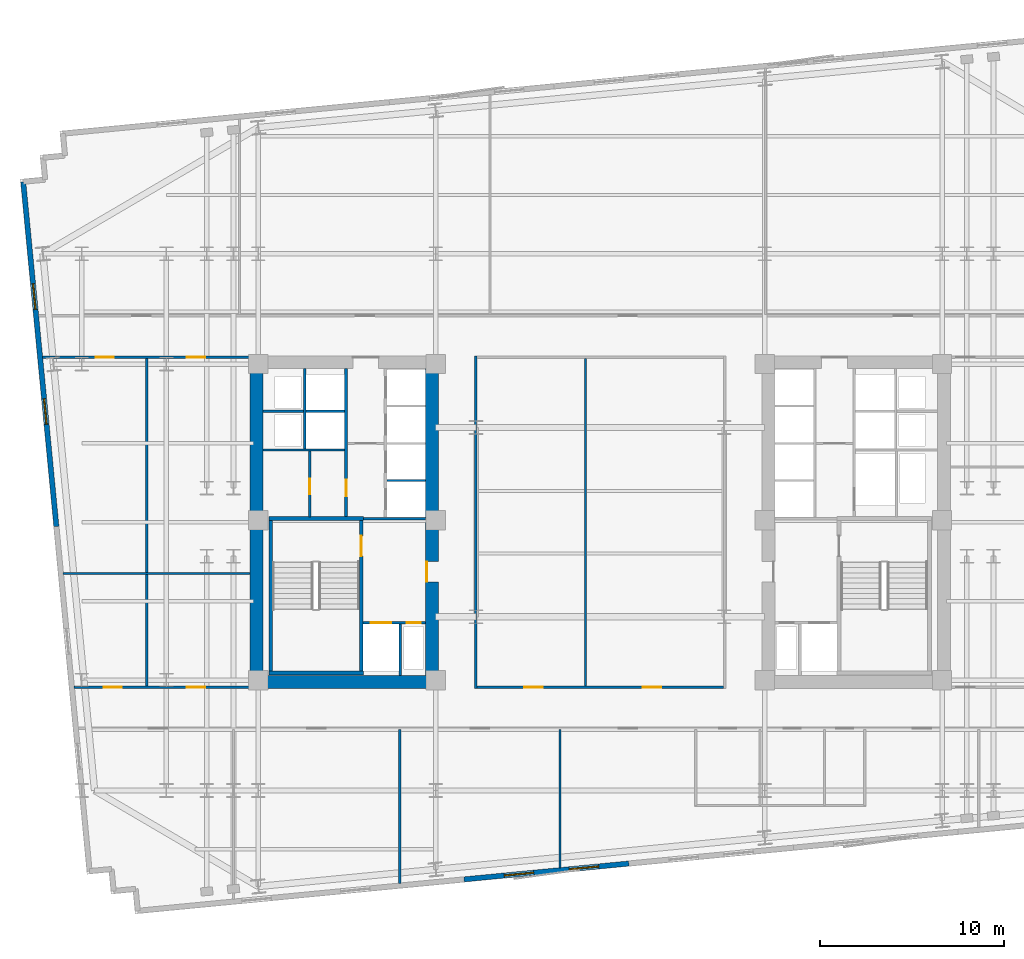
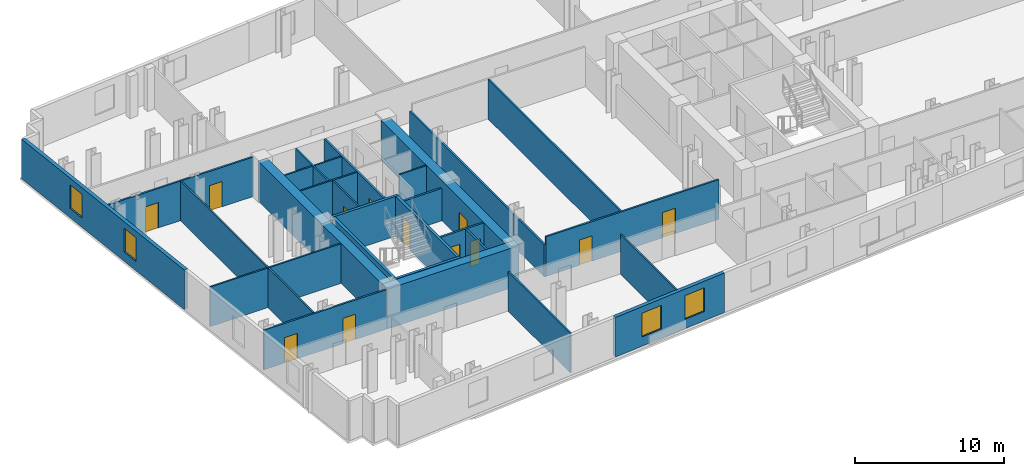
# One storey, part 4 of 10: 28 walls, 12 doors, 4 windows, 16 openings.
"""IFC4 building model written with IfcOpenShell, lengths in metres."""

import ifcopenshell
import ifcopenshell.guid

model = None  # the IFC model being written
_history = None  # IfcOwnerHistory: only IFC2X3 demands one
_inside = {}  # id of a spatial element -> (the spatial element, [elements in it])
_under = {}  # id of a project, library or spatial element -> (it, [spatial elements below it])
_declared = {}  # id of a project -> (the project, [libraries it declares])
_typed = {}  # id of a type object -> (the type object, [elements of that type])
_made_of = {}  # id of a material, layer set ... -> (it, [elements and type objects made of it])


def new_model(schema):
    """Start an empty IFC model of exactly this schema.

    Asked for "IFC4X3", IfcOpenShell would pick the latest addendum, in which some entities
    have other attributes; the version numbers below select the first issue.
    IFC2X3 requires an IfcOwnerHistory on every rooted entity: one is made here for all.
    """
    global model, _history
    if schema == "IFC4X3":
        model = ifcopenshell.file(schema_version=(4, 3, 0, 0))
    else:
        model = ifcopenshell.file(schema=schema)
    _inside.clear()
    _under.clear()
    _declared.clear()
    _typed.clear()
    _made_of.clear()
    _history = None
    if model.schema == "IFC2X3":
        org = make("IfcOrganization", Name="unknown")
        user = make(
            "IfcPersonAndOrganization",
            ThePerson=make("IfcPerson", FamilyName="unknown"),
            TheOrganization=org,
        )
        app = make(
            "IfcApplication",
            ApplicationDeveloper=org,
            Version="unknown",
            ApplicationFullName="unknown",
            ApplicationIdentifier="unknown",
        )
        _history = make(
            "IfcOwnerHistory",
            OwningUser=user,
            OwningApplication=app,
            ChangeAction="ADDED",
            CreationDate=0,
        )
    return model


def make(cls, **values):
    """One entity of the class cls with the attributes given. An attribute that is None is left unset."""
    return model.create_entity(
        cls, **{name: value for name, value in values.items() if value is not None}
    )


def rooted(cls, **values):
    """An entity with a GlobalId (a new one), such as an element, a storey or a relation."""
    return make(cls, GlobalId=ifcopenshell.guid.new(), OwnerHistory=_history, **values)


def si_unit(unit_type, name, prefix=None):
    """IfcSIUnit, for example si_unit("LENGTHUNIT", "METRE", prefix="MILLI")."""
    return make("IfcSIUnit", UnitType=unit_type, Prefix=prefix, Name=name)


def assignment(units):
    """IfcUnitAssignment: the units of a project."""
    return None if units is None else make("IfcUnitAssignment", Units=units)


def point(xyz):
    """IfcCartesianPoint."""
    return None if xyz is None else make("IfcCartesianPoint", Coordinates=xyz)


def direction(xyz):
    """IfcDirection."""
    return None if xyz is None else make("IfcDirection", DirectionRatios=xyz)


def frame(location, z_axis=None, x_axis=None):
    """IfcAxis2Placement3D, a coordinate frame: its origin and axes. An axis left out is left unset."""
    return make(
        "IfcAxis2Placement3D",
        Location=point(location),
        Axis=direction(z_axis),
        RefDirection=direction(x_axis),
    )


def frame_2d(location, x_axis=None):
    """IfcAxis2Placement2D, a coordinate frame in the plane: its origin and x axis."""
    return make(
        "IfcAxis2Placement2D", Location=point(location), RefDirection=direction(x_axis)
    )


def origin():
    """The frame at (0, 0, 0) with its axes left unset."""
    return frame((0.0, 0.0, 0.0))


def place(relative_to, where):
    """IfcLocalPlacement: puts the frame where relative to a parent placement (None: the world)."""
    return make(
        "IfcLocalPlacement", PlacementRelTo=relative_to, RelativePlacement=where
    )


def context(
    kind, dimensions, precision=None, world=None, true_north=None, identifier=None
):
    """IfcGeometricRepresentationContext, for example the 3D "Model" context."""
    return make(
        "IfcGeometricRepresentationContext",
        ContextIdentifier=identifier,
        ContextType=kind,
        CoordinateSpaceDimension=dimensions,
        Precision=precision,
        WorldCoordinateSystem=world,
        TrueNorth=true_north,
    )


def subcontext(parent, identifier, kind, view, scale=None):
    """IfcGeometricRepresentationSubContext, for example "Body" below "Model"."""
    return make(
        "IfcGeometricRepresentationSubContext",
        ContextIdentifier=identifier,
        ContextType=kind,
        ParentContext=parent,
        TargetScale=scale,
        TargetView=view,
    )


def project(units=None, contexts=None):
    """IfcProject with its units and contexts."""
    return rooted(
        "IfcProject",
        Name="project",
        RepresentationContexts=contexts,
        UnitsInContext=assignment(units),
    )


def spatial(cls, under=None, at=None, **own):
    """A site, building, storey or space (cls), placed at a placement, below another one or the project."""
    s = rooted(cls, ObjectPlacement=at, **own)
    if under is not None:
        _under.setdefault(under.id(), (under, []))[1].append(s)
    return s


def profile(cls, at=None, kind="AREA", **sizes):
    """A parametric profile (cls). Its sizes go by their IFC names, for example OverallWidth=200.0."""
    return make(cls, ProfileType=kind, Position=at, **sizes)


def rectangle(**sizes):
    """IfcRectangleProfileDef."""
    return profile("IfcRectangleProfileDef", **sizes)


def extrude(swept, where, along, depth):
    """IfcExtrudedAreaSolid: the profile swept, set in the frame where, extruded along a direction by depth."""
    return make(
        "IfcExtrudedAreaSolid",
        SweptArea=swept,
        Position=where,
        ExtrudedDirection=direction(along),
        Depth=depth,
    )


def shape(context_of_items, identifier, shape_type, items):
    """IfcShapeRepresentation: the items that make up one representation, for example the "Body"."""
    return make(
        "IfcShapeRepresentation",
        ContextOfItems=context_of_items,
        RepresentationIdentifier=identifier,
        RepresentationType=shape_type,
        Items=items,
    )


def material(Name=None, Category=None):
    """IfcMaterial."""
    return make("IfcMaterial", Name=Name, Category=Category)


def layer(
    of_material, thickness, ventilated=None, Name=None, Category=None, Priority=None
):
    """IfcMaterialLayer: one layer of a wall or slab, of a material (None: an air gap)."""
    return make(
        "IfcMaterialLayer",
        Material=of_material,
        LayerThickness=thickness,
        IsVentilated=ventilated,
        Name=Name,
        Category=Category,
        Priority=Priority,
    )


def layer_set(layers, Name=None):
    """IfcMaterialLayerSet."""
    return make("IfcMaterialLayerSet", MaterialLayers=layers, LayerSetName=Name)


def made_of(thing, what):
    """Note that an element or type object is made of a material, layer set ...; save() writes the relation."""
    if what is not None:
        _made_of.setdefault(what.id(), (what, []))[1].append(thing)
    return thing


def type_object(cls, material=None, **own):
    """A type object (cls), such as IfcWallType, which elements share."""
    return made_of(rooted(cls, **own), material)


def element(
    cls,
    number,
    at=None,
    inside=None,
    cuts=None,
    type_object=None,
    material=None,
    context=None,
    identifier="Body",
    shape_type=None,
    held_by="IfcProductDefinitionShape",
    body=None,
    shapes=None,
    **own,
):
    """One element of the class cls, such as IfcWall. Its Tag is "e" and its number.

    at: its placement. inside: the storey or other place that contains it. cuts: it is an
    opening in that element (IfcRelVoidsElement). A single representation is given by context,
    identifier, shape_type and body (its items); several are given by shapes. held_by: the class
    of the entity that holds the representations. save() writes the other relations.
    """
    e = rooted(cls, Tag="e%d" % number, ObjectPlacement=at, **own)
    if body is not None:
        shapes = [shape(context, identifier, shape_type, body)]
    if shapes is not None:
        e.Representation = make(held_by, Representations=shapes)
    if inside is not None:
        _inside.setdefault(inside.id(), (inside, []))[1].append(e)
    if cuts is not None:
        rooted(
            "IfcRelVoidsElement", RelatingBuildingElement=cuts, RelatedOpeningElement=e
        )
    if type_object is not None:
        _typed.setdefault(type_object.id(), (type_object, []))[1].append(e)
    return made_of(e, material)


def fill(opening, filler):
    """IfcRelFillsElement: the door or window that sits in an opening."""
    return rooted(
        "IfcRelFillsElement",
        RelatingOpeningElement=opening,
        RelatedBuildingElement=filler,
    )


def aggregate(whole, parts):
    """IfcRelAggregates: a whole, such as a stair, and the parts it consists of."""
    return rooted("IfcRelAggregates", RelatingObject=whole, RelatedObjects=parts)


def save(model, path):
    """Write the relations noted so far, then the file.

    IfcRelAggregates (storeys below a building ...), IfcRelContainedInSpatialStructure (elements
    in a storey), IfcRelDefinesByType, IfcRelAssociatesMaterial and IfcRelDeclares: one each for
    every whole, place, type object, material and project.
    """
    for whole, parts in _under.values():
        aggregate(whole, parts)
    for where, things in _inside.values():
        rooted(
            "IfcRelContainedInSpatialStructure",
            RelatedElements=things,
            RelatingStructure=where,
        )
    for kind, things in _typed.values():
        rooted("IfcRelDefinesByType", RelatedObjects=things, RelatingType=kind)
    for what, things in _made_of.values():
        rooted("IfcRelAssociatesMaterial", RelatedObjects=things, RelatingMaterial=what)
    for by, libraries in _declared.values():
        rooted("IfcRelDeclares", RelatingContext=by, RelatedDefinitions=libraries)
    model.write(path)


model = new_model("IFC4")

# Units and contexts
model_context = context("Model", 3, precision=1e-05, world=origin(), true_north=direction((0.0, 1.0)))
body_context = subcontext(model_context, "Body", "Model", "MODEL_VIEW")
ifc_project = project(units=[si_unit("LENGTHUNIT", "METRE"), si_unit("AREAUNIT", "SQUARE_METRE"), si_unit("VOLUMEUNIT", "CUBIC_METRE"), si_unit("PLANEANGLEUNIT", "RADIAN"), si_unit("MASSUNIT", "GRAM", prefix="KILO")], contexts=[model_context])

# Site, building, storey
site_placement = place(None, origin())
site = spatial("IfcSite", under=ifc_project, at=site_placement, CompositionType="ELEMENT")
building_placement = place(site_placement, origin())
building = spatial("IfcBuilding", under=site, at=building_placement, Name="Velakula Bourse", CompositionType="ELEMENT")
storey_placement = place(building_placement, frame((0.0, 0.0, 91.449951171875)))
storey = spatial("IfcBuildingStorey", under=building, at=storey_placement, Name="L24", CompositionType="ELEMENT", Elevation=91.449951171875)

# Wall, opening, door
ifc_material_1 = material(Name="Concrete M50 (fck 50 MPa)", Category="concrete")
ifc_layer_1 = layer(ifc_material_1, 0.2099609375, Name="Concrete M50 (fck 50 MPa)", Category="concrete")
ifc_layer_set_1 = layer_set([ifc_layer_1], Name="Concrete M50 (fck 50 MPa)")
wall_type_1 = type_object("IfcWallType", Name="WL-CORE-210", PredefinedType="SHEAR", material=ifc_layer_set_1)
wall_1_placement = place(storey_placement, frame((-12.9951171875, -8.10009765625, 0.0), z_axis=(0.0, 0.0, 1.0), x_axis=(0.0, 1.0, 0.0)))
wall_1 = element("IfcWall", 1, at=wall_1_placement, inside=storey, type_object=wall_type_1, Name="L24 Core W Stairwell Shear Wall IN", PredefinedType="SHEAR", context=body_context, shape_type="SweptSolid", body=[
    extrude(rectangle(XDim=8.2001953125, YDim=0.2099609375, at=frame_2d((4.10009765625, 0.0))), origin(), (0.0, 0.0, 1.0), 3.27001953125),
])
opening_1_placement = place(wall_1_placement, frame((6.25, 0.0, 0.0)))
opening_1 = element("IfcOpeningElement", 2, at=opening_1_placement, cuts=wall_1, Name="Opening D-STW1", PredefinedType="OPENING", context=body_context, shape_type="SweptSolid", body=[
    extrude(rectangle(XDim=1.10009765625, YDim=2.14990234375, at=frame_2d((0.550048828125, 1.074951171875))), frame((0.0, 0.114990234375, 0.0), z_axis=(0.0, -1.0, 0.0), x_axis=(1.0, 0.0, 0.0)), (0.0, 0.0, 1.0), 0.22998046875),
])
ifc_material_2 = material(Name="Galvanised painted hollow steel fire door", Category="steel")
door_type_1 = type_object("IfcDoorType", Name="DR-FD120-1100x2150", OperationType="NOTDEFINED", PredefinedType="DOOR", material=ifc_material_2)
door_1_placement = place(opening_1_placement, origin())
door_1 = element("IfcDoor", 3, at=door_1_placement, inside=storey, type_object=door_type_1, Name="L24 Stair ST-W1 Fire Door", OperationType="SINGLE_SWING_LEFT", OverallHeight=2.14990234375, OverallWidth=1.10009765625, PredefinedType="DOOR", context=body_context, shape_type="SweptSolid", body=[
    extrude(rectangle(XDim=1.10009765625, YDim=2.14990234375, at=frame_2d((0.550048828125, 1.074951171875))), frame((0.0, 0.02490234375, 0.0), z_axis=(0.0, -1.0, 0.0), x_axis=(1.0, 0.0, 0.0)), (0.0, 0.0, 1.0), 0.050048828125),
])
fill(opening_1, door_1)

# Walls
wall_2_placement = place(storey_placement, frame((-17.925048828125, -8.10009765625, 0.0), z_axis=(0.0, 0.0, 1.0), x_axis=(0.0, 1.0, 0.0)))
element("IfcWall", 4, at=wall_2_placement, inside=storey, type_object=wall_type_1, Name="L24 Core W Stairwell Shear Wall OUT", PredefinedType="SHEAR", context=body_context, shape_type="SweptSolid", body=[
    extrude(rectangle(XDim=8.2001953125, YDim=0.2099609375, at=frame_2d((4.10009765625, 0.0))), origin(), (0.0, 0.0, 1.0), 3.27001953125),
])
for number, where, z_axis, x_axis, name in (
    (5, (-18.030029296875, -8.205078125, 0.0), (0.0, 0.0, 1.0), (1.0, 0.0, 0.0), "L24 Core W Stairwell Shear Wall S"),
    (6, (-12.889892578125, 0.205078125, 0.0), (0.0, 0.0, 1.0), (-1.0, 0.0, 0.0), "L24 Core W Stairwell Shear Wall N"),
):
    element("IfcWall", number, at=place(storey_placement, frame(where, z_axis=z_axis, x_axis=x_axis)), inside=storey, type_object=wall_type_1, Name=name, PredefinedType="SHEAR", context=body_context, shape_type="SweptSolid", body=[
        extrude(rectangle(XDim=5.14013671875, YDim=0.2099609375, at=frame_2d((2.570068359375, 0.0))), origin(), (0.0, 0.0, 1.0), 3.27001953125),
    ])
ifc_material_3 = material(Name="Concrete M70 (fck 70 MPa)", Category="concrete")
ifc_layer_2 = layer(ifc_material_3, 0.699951171875, Name="Concrete M70 (fck 70 MPa)", Category="concrete")
ifc_layer_set_2 = layer_set([ifc_layer_2], Name="Concrete M70 (fck 70 MPa)")
wall_type_2 = type_object("IfcWallType", Name="WL-CORE-700", PredefinedType="SHEAR", material=ifc_layer_set_2)
wall_3_placement = place(storey_placement, frame((-19.050048828125, -8.699951171875, 0.0), z_axis=(0.0, 0.0, 1.0), x_axis=(1.0, 0.0, 0.0)))
element("IfcWall", 7, at=wall_3_placement, inside=storey, type_object=wall_type_2, Name="L24 Core W Shear Wall S", PredefinedType="SHEAR", context=body_context, shape_type="SweptSolid", body=[
    extrude(rectangle(XDim=10.25, YDim=0.699951171875, at=frame_2d((5.125, 0.0))), origin(), (0.0, 0.0, 1.0), 3.27001953125),
])
wall_4_placement = place(storey_placement, frame((-18.699951171875, -8.35009765625, 0.0), z_axis=(0.0, 0.0, 1.0), x_axis=(0.0, 1.0, 0.0)))
element("IfcWall", 8, at=wall_4_placement, inside=storey, type_object=wall_type_2, Name="L24 Core W Shear Wall W", PredefinedType="SHEAR", context=body_context, shape_type="SweptSolid", body=[
    extrude(rectangle(XDim=16.7001953125, YDim=0.699951171875, at=frame_2d((8.35009765625, 0.0))), origin(), (0.0, 0.0, 1.0), 3.27001953125),
])

# Wall, opening, door
wall_5_placement = place(storey_placement, frame((-9.14990234375, -8.35009765625, 0.0), z_axis=(0.0, 0.0, 1.0), x_axis=(0.0, 1.0, 0.0)))
wall_5 = element("IfcWall", 9, at=wall_5_placement, inside=storey, type_object=wall_type_2, Name="L24 Core W Shear Wall E", PredefinedType="SHEAR", context=body_context, shape_type="SweptSolid", body=[
    extrude(rectangle(XDim=16.7001953125, YDim=0.699951171875, at=frame_2d((8.35009765625, 0.0))), origin(), (0.0, 0.0, 1.0), 3.27001953125),
])
opening_2_placement = place(wall_5_placement, frame((5.10009765625, 0.0, 0.0)))
opening_2 = element("IfcOpeningElement", 10, at=opening_2_placement, cuts=wall_5, Name="Opening D-FLW", PredefinedType="OPENING", context=body_context, shape_type="SweptSolid", body=[
    extrude(rectangle(XDim=1.10009765625, YDim=2.080078125, at=frame_2d((0.550048828125, 1.0400390625))), frame((0.0, 0.35986328125, 0.0), z_axis=(0.0, -1.0, 0.0), x_axis=(1.0, 0.0, 0.0)), (0.0, 0.0, 1.0), 0.719970703125),
])
door_type_2 = type_object("IfcDoorType", Name="DR-FD120-1100", OperationType="NOTDEFINED", PredefinedType="DOOR", material=ifc_material_2)
door_2_placement = place(opening_2_placement, origin())
door_2 = element("IfcDoor", 11, at=door_2_placement, inside=storey, type_object=door_type_2, Name="L24 Firefighting Lobby W Corridor Fire Door", OperationType="SINGLE_SWING_LEFT", OverallHeight=2.080078125, OverallWidth=1.10009765625, PredefinedType="DOOR", context=body_context, shape_type="SweptSolid", body=[
    extrude(rectangle(XDim=1.10009765625, YDim=2.080078125, at=frame_2d((0.550048828125, 1.0400390625))), frame((0.0, 0.30517578125, 0.0), z_axis=(0.0, -1.0, 0.0), x_axis=(1.0, 0.0, 0.0)), (0.0, 0.0, 1.0), 0.050048828125),
])
fill(opening_2, door_2)

# Wall, openings, windows
ifc_material_4 = material(Name="Red kilned clay facing brick masonry", Category="masonry")
ifc_layer_3 = layer(ifc_material_4, 0.280029296875, Name="Red kilned clay facing brick masonry", Category="masonry")
ifc_layer_set_3 = layer_set([ifc_layer_3], Name="Red kilned clay facing brick masonry")
wall_type_3 = type_object("IfcWallType", Name="WL-EXT-BRK-280", PredefinedType="STANDARD", material=ifc_layer_set_3)
wall_6_placement = place(storey_placement, frame((1.556396484375, -18.573486328125, 0.0), z_axis=(0.0, 0.0, 1.0), x_axis=(-0.995396794462, -0.09583956164, 0.0)))
wall_6 = element("IfcWall", 12, at=wall_6_placement, inside=storey, type_object=wall_type_3, Name="L24 S Brick Spandrel Wall B2", PredefinedType="STANDARD", context=body_context, shape_type="SweptSolid", body=[
    extrude(rectangle(XDim=9.0, YDim=0.280029296875, at=frame_2d((4.5, 0.0))), origin(), (0.0, 0.0, 1.0), 3.25),
])
opening_3_placement = place(wall_6_placement, frame((1.64990234375, 0.0, 0.760009765625)))
opening_3 = element("IfcOpeningElement", 13, at=opening_3_placement, cuts=wall_6, Name="Opening W-02", PredefinedType="OPENING", context=body_context, shape_type="SweptSolid", body=[
    extrude(rectangle(XDim=1.60009765625, YDim=1.949951171875, at=frame_2d((0.800048828125, 0.97509765625))), frame((0.0, 0.14990234375, 0.0), z_axis=(0.0, -1.0, 0.0), x_axis=(1.0, 0.0, 0.0)), (0.0, 0.0, 1.0), 0.300048828125),
])
opening_4_placement = place(wall_6_placement, frame((5.199951171875, 0.0, 0.760009765625)))
opening_4 = element("IfcOpeningElement", 14, at=opening_4_placement, cuts=wall_6, Name="Opening W-02", PredefinedType="OPENING", context=body_context, shape_type="SweptSolid", body=[
    extrude(rectangle(XDim=1.60009765625, YDim=1.949951171875, at=frame_2d((0.800048828125, 0.97509765625))), frame((0.0, 0.14990234375, 0.0), z_axis=(0.0, -1.0, 0.0), x_axis=(1.0, 0.0, 0.0)), (0.0, 0.0, 1.0), 0.300048828125),
])
ifc_material_5 = material(Name="Double-glazed solar-control Low-E glass", Category="glass")
window_type_1 = type_object("IfcWindowType", Name="WIN-TWR-1600x2100", PartitioningType="SINGLE_PANEL", PredefinedType="WINDOW", material=ifc_material_5)
window_1_placement = place(opening_3_placement, origin())
window_1 = element("IfcWindow", 15, at=window_1_placement, inside=storey, type_object=window_type_1, Name="L24 Deep-Set Recessed Window 1", OverallHeight=1.949951171875, OverallWidth=1.60009765625, PartitioningType="SINGLE_PANEL", PredefinedType="WINDOW", context=body_context, shape_type="SweptSolid", body=[
    extrude(rectangle(XDim=1.60009765625, YDim=1.949951171875, at=frame_2d((0.800048828125, 0.97509765625))), frame((0.0, 0.030029296875, 0.0), z_axis=(0.0, -1.0, 0.0), x_axis=(1.0, 0.0, 0.0)), (0.0, 0.0, 1.0), 0.06005859375),
])
fill(opening_3, window_1)
window_2_placement = place(opening_4_placement, origin())
window_2 = element("IfcWindow", 16, at=window_2_placement, inside=storey, type_object=window_type_1, Name="L24 Deep-Set Recessed Window 2", OverallHeight=1.949951171875, OverallWidth=1.60009765625, PartitioningType="SINGLE_PANEL", PredefinedType="WINDOW", context=body_context, shape_type="SweptSolid", body=[
    extrude(rectangle(XDim=1.60009765625, YDim=1.949951171875, at=frame_2d((0.800048828125, 0.97509765625))), frame((0.0, 0.030029296875, 0.0), z_axis=(0.0, -1.0, 0.0), x_axis=(1.0, 0.0, 0.0)), (0.0, 0.0, 1.0), 0.06005859375),
])
fill(opening_4, window_2)

wall_7_placement = place(storey_placement, frame((-29.584716796875, -0.23388671875, 0.0), z_axis=(0.0, 0.0, 1.0), x_axis=(-0.095841297881, 0.99539662729, 0.0)))
wall_7 = element("IfcWall", 17, at=wall_7_placement, inside=storey, type_object=wall_type_3, Name="L24 W Brick End Wall W2", PredefinedType="STANDARD", context=body_context, shape_type="SweptSolid", body=[
    extrude(rectangle(XDim=18.840087890625, YDim=0.280029296875, at=frame_2d((9.419921875, 0.0))), origin(), (0.0, 0.0, 1.0), 3.25),
])
opening_5_placement = place(wall_7_placement, frame((5.580078125, 0.0, 0.760009765625)))
opening_5 = element("IfcOpeningElement", 18, at=opening_5_placement, cuts=wall_7, Name="Opening W-03", PredefinedType="OPENING", context=body_context, shape_type="SweptSolid", body=[
    extrude(rectangle(XDim=1.39990234375, YDim=1.949951171875, at=frame_2d((0.699951171875, 0.97509765625))), frame((0.0, 0.14990234375, 0.0), z_axis=(0.0, -1.0, 0.0), x_axis=(1.0, 0.0, 0.0)), (0.0, 0.0, 1.0), 0.300048828125),
])
opening_6_placement = place(wall_7_placement, frame((11.860107421875, 0.0, 0.760009765625)))
opening_6 = element("IfcOpeningElement", 19, at=opening_6_placement, cuts=wall_7, Name="Opening W-03", PredefinedType="OPENING", context=body_context, shape_type="SweptSolid", body=[
    extrude(rectangle(XDim=1.39990234375, YDim=1.949951171875, at=frame_2d((0.699951171875, 0.97509765625))), frame((0.0, 0.14990234375, 0.0), z_axis=(0.0, -1.0, 0.0), x_axis=(1.0, 0.0, 0.0)), (0.0, 0.0, 1.0), 0.300048828125),
])
window_type_2 = type_object("IfcWindowType", Name="WIN-TWR-1400x2100", PartitioningType="SINGLE_PANEL", PredefinedType="WINDOW", material=ifc_material_5)
window_3_placement = place(opening_5_placement, origin())
window_3 = element("IfcWindow", 20, at=window_3_placement, inside=storey, type_object=window_type_2, Name="L24 Deep-Set Recessed Window 1", OverallHeight=1.949951171875, OverallWidth=1.39990234375, PartitioningType="SINGLE_PANEL", PredefinedType="WINDOW", context=body_context, shape_type="SweptSolid", body=[
    extrude(rectangle(XDim=1.39990234375, YDim=1.949951171875, at=frame_2d((0.699951171875, 0.97509765625))), frame((0.0, 0.030029296875, 0.0), z_axis=(0.0, -1.0, 0.0), x_axis=(1.0, 0.0, 0.0)), (0.0, 0.0, 1.0), 0.06005859375),
])
fill(opening_5, window_3)
window_4_placement = place(opening_6_placement, origin())
window_4 = element("IfcWindow", 21, at=window_4_placement, inside=storey, type_object=window_type_2, Name="L24 Deep-Set Recessed Window 2", OverallHeight=1.949951171875, OverallWidth=1.39990234375, PartitioningType="SINGLE_PANEL", PredefinedType="WINDOW", context=body_context, shape_type="SweptSolid", body=[
    extrude(rectangle(XDim=1.39990234375, YDim=1.949951171875, at=frame_2d((0.699951171875, 0.97509765625))), frame((0.0, 0.030029296875, 0.0), z_axis=(0.0, -1.0, 0.0), x_axis=(1.0, 0.0, 0.0)), (0.0, 0.0, 1.0), 0.06005859375),
])
fill(opening_6, window_4)

# Walls
ifc_material_6 = material(Name="Fire-rated double-layer gypsum drywall partition", Category="gypsum")
ifc_layer_4 = layer(ifc_material_6, 0.1201171875, Name="Fire-rated double-layer gypsum drywall partition", Category="gypsum")
ifc_layer_set_4 = layer_set([ifc_layer_4], Name="Fire-rated double-layer gypsum drywall partition")
wall_type_4 = type_object("IfcWallType", Name="WL-PART-120", PredefinedType="STANDARD", material=ifc_layer_set_4)
wall_8_placement = place(storey_placement, frame((-11.60009765625, 2.2548828125, 0.0), z_axis=(0.0, 0.0, 1.0), x_axis=(1.0, 0.0, 0.0)))
element("IfcWall", 22, at=wall_8_placement, inside=storey, type_object=wall_type_4, Name="L24 Interior Partition WL-CRW-L24-BDIV-0", PredefinedType="STANDARD", context=body_context, shape_type="SweptSolid", body=[
    extrude(rectangle(XDim=2.10009765625, YDim=0.110107421875, at=frame_2d((1.050048828125, 0.0))), origin(), (0.0, 0.0, 1.0), 3.25),
])
wall_9_placement = place(storey_placement, frame((-18.35009765625, 3.919921875, 0.0), z_axis=(0.0, 0.0, 1.0), x_axis=(1.0, 0.0, 0.0)))
element("IfcWall", 23, at=wall_9_placement, inside=storey, type_object=wall_type_4, Name="L24 Interior Partition WL-CRW-L24-HI-S", PredefinedType="STANDARD", context=body_context, shape_type="SweptSolid", body=[
    extrude(rectangle(XDim=4.4501953125, YDim=0.1201171875, at=frame_2d((2.22509765625, 0.0))), origin(), (0.0, 0.0, 1.0), 3.25),
])
wall_10_placement = place(storey_placement, frame((-18.35009765625, 6.030029296875, 0.0), z_axis=(0.0, 0.0, 1.0), x_axis=(1.0, 0.0, 0.0)))
element("IfcWall", 24, at=wall_10_placement, inside=storey, type_object=wall_type_4, Name="L24 Interior Partition WL-CRW-L24-RIS-MID", PredefinedType="STANDARD", context=body_context, shape_type="SweptSolid", body=[
    extrude(rectangle(XDim=2.2001953125, YDim=0.1201171875, at=frame_2d((1.10009765625, 0.0))), origin(), (0.0, 0.0, 1.0), 3.25),
])
wall_11_placement = place(storey_placement, frame((-16.074951171875, 3.97998046875, 0.0), z_axis=(0.0, 0.0, 1.0), x_axis=(0.0, 1.0, 0.0)))
element("IfcWall", 25, at=wall_11_placement, inside=storey, type_object=wall_type_4, Name="L24 Interior Partition WL-CRW-L24-RIS-F", PredefinedType="STANDARD", context=body_context, shape_type="SweptSolid", body=[
    extrude(rectangle(XDim=4.3701171875, YDim=0.1201171875, at=frame_2d((2.18505859375, 0.0))), origin(), (0.0, 0.0, 1.0), 3.25),
])
wall_12_placement = place(storey_placement, frame((-16.0, 6.030029296875, 0.0), z_axis=(0.0, 0.0, 1.0), x_axis=(1.0, 0.0, 0.0)))
element("IfcWall", 26, at=wall_12_placement, inside=storey, type_object=wall_type_4, Name="L24 Interior Partition WL-CRW-L24-HI-DIV", PredefinedType="STANDARD", context=body_context, shape_type="SweptSolid", body=[
    extrude(rectangle(XDim=2.10009765625, YDim=0.1201171875, at=frame_2d((1.050048828125, 0.0))), origin(), (0.0, 0.0, 1.0), 3.25),
])

# Wall, opening, door
wall_13_placement = place(storey_placement, frame((-15.800048828125, 0.27001953125, 0.0), z_axis=(0.0, 0.0, 1.0), x_axis=(0.0, 1.0, 0.0)))
wall_13 = element("IfcWall", 27, at=wall_13_placement, inside=storey, type_object=wall_type_4, Name="L24 Interior Partition WL-CRW-L24-K2", PredefinedType="STANDARD", context=body_context, shape_type="SweptSolid", body=[
    extrude(rectangle(XDim=3.590087890625, YDim=0.1201171875, at=frame_2d((1.794921875, 0.0))), origin(), (0.0, 0.0, 1.0), 3.25),
])
opening_7_placement = place(wall_13_placement, frame((1.25, 0.0, 0.0)))
opening_7 = element("IfcOpeningElement", 28, at=opening_7_placement, cuts=wall_13, Name="Opening D-CE1", PredefinedType="OPENING", context=body_context, shape_type="SweptSolid", body=[
    extrude(rectangle(XDim=0.85009765625, YDim=2.050048828125, at=frame_2d((0.425048828125, 1.02490234375))), frame((0.0, 0.070068359375, 0.0), z_axis=(0.0, -1.0, 0.0), x_axis=(1.0, 0.0, 0.0)), (0.0, 0.0, 1.0), 0.14013671875),
])
ifc_material_7 = material(Name="Fire-rated hardwood flush architectural door", Category="wood")
door_type_3 = type_object("IfcDoorType", Name="DR-INT-850", OperationType="NOTDEFINED", PredefinedType="DOOR", material=ifc_material_7)
door_3_placement = place(opening_7_placement, origin())
door_3 = element("IfcDoor", 29, at=door_3_placement, inside=storey, type_object=door_type_3, Name="L24 Core Equipment Store Door", OperationType="SINGLE_SWING_RIGHT", OverallHeight=2.050048828125, OverallWidth=0.85009765625, PredefinedType="DOOR", context=body_context, shape_type="SweptSolid", body=[
    extrude(rectangle(XDim=0.85009765625, YDim=2.050048828125, at=frame_2d((0.425048828125, 1.02490234375))), frame((0.0, 0.02490234375, 0.0), z_axis=(0.0, -1.0, 0.0), x_axis=(1.0, 0.0, 0.0)), (0.0, 0.0, 1.0), 0.050048828125),
])
fill(opening_7, door_3)

# Walls
wall_14_placement = place(storey_placement, frame((-10.89892578125, -19.65234375, 0.0), z_axis=(0.0, 0.0, 1.0), x_axis=(0.0, 1.0, 0.0)))
element("IfcWall", 30, at=wall_14_placement, inside=storey, type_object=wall_type_4, Name="L24 Interior Partition WL-INT-L24-SL-D6", PredefinedType="STANDARD", context=body_context, shape_type="SweptSolid", body=[
    extrude(rectangle(XDim=8.3623046875, YDim=0.1201171875, at=frame_2d((4.18115234375, 0.0))), origin(), (0.0, 0.0, 1.0), 3.25),
])
wall_15_placement = place(storey_placement, frame((-2.178955078125, -18.812744140625, 0.0), z_axis=(0.0, 0.0, 1.0), x_axis=(0.0, 1.0, 0.0)))
element("IfcWall", 31, at=wall_15_placement, inside=storey, type_object=wall_type_4, Name="L24 Interior Partition WL-INT-L24-SL-D7", PredefinedType="STANDARD", context=body_context, shape_type="SweptSolid", body=[
    extrude(rectangle(XDim=7.522705078125, YDim=0.1201171875, at=frame_2d((3.76123046875, 0.0))), origin(), (0.0, 0.0, 1.0), 3.25),
])
wall_16_placement = place(storey_placement, frame((-29.217041015625, -2.800048828125, 0.0), z_axis=(0.0, 0.0, 1.0), x_axis=(1.0, 0.0, 0.0)))
element("IfcWall", 32, at=wall_16_placement, inside=storey, type_object=wall_type_4, Name="L24 Interior Partition WL-INT-L24-W-H", PredefinedType="STANDARD", context=body_context, shape_type="SweptSolid", body=[
    extrude(rectangle(XDim=10.1669921875, YDim=0.1201171875, at=frame_2d((5.08349609375, 0.0))), origin(), (0.0, 0.0, 1.0), 3.25),
])
wall_17_placement = place(storey_placement, frame((-24.6708984375, -8.97998046875, 0.0), z_axis=(0.0, 0.0, 1.0), x_axis=(0.0, 1.0, 0.0)))
element("IfcWall", 33, at=wall_17_placement, inside=storey, type_object=wall_type_4, Name="L24 Interior Partition WL-INT-L24-W-V1", PredefinedType="STANDARD", context=body_context, shape_type="SweptSolid", body=[
    extrude(rectangle(XDim=17.9599609375, YDim=0.1201171875, at=frame_2d((8.97998046875, 0.0))), origin(), (0.0, 0.0, 1.0), 3.25),
])

# Wall, openings, doors
ifc_layer_5 = layer(ifc_material_6, 0.139892578125, Name="Fire-rated double-layer gypsum drywall partition", Category="gypsum")
ifc_layer_set_5 = layer_set([ifc_layer_5], Name="Fire-rated double-layer gypsum drywall partition")
wall_type_5 = type_object("IfcWallType", Name="WL-PART-140", PredefinedType="STANDARD", material=ifc_layer_set_5)
wall_18_placement = place(storey_placement, frame((-30.351318359375, 8.97998046875, 0.0), z_axis=(0.0, 0.0, 1.0), x_axis=(1.0, 0.0, 0.0)))
wall_18 = element("IfcWall", 34, at=wall_18_placement, inside=storey, type_object=wall_type_5, Name="L24 Interior Partition WL-INT-L24-W-NC", PredefinedType="STANDARD", context=body_context, shape_type="SweptSolid", body=[
    extrude(rectangle(XDim=11.30126953125, YDim=0.139892578125, at=frame_2d((5.650634765625, 0.0))), origin(), (0.0, 0.0, 1.0), 3.25),
])
opening_8_placement = place(wall_18_placement, frame((2.900146484375, 0.0, 0.0)))
opening_8 = element("IfcOpeningElement", 35, at=opening_8_placement, cuts=wall_18, Name="Opening D-OF1", PredefinedType="OPENING", context=body_context, shape_type="SweptSolid", body=[
    extrude(rectangle(XDim=1.0, YDim=2.080078125, at=frame_2d((0.5, 1.0400390625))), frame((0.0, 0.079833984375, 0.0), z_axis=(0.0, -1.0, 0.0), x_axis=(1.0, 0.0, 0.0)), (0.0, 0.0, 1.0), 0.159912109375),
])
opening_9_placement = place(wall_18_placement, frame((7.86083984375, 0.0, 0.0)))
opening_9 = element("IfcOpeningElement", 36, at=opening_9_placement, cuts=wall_18, Name="Opening D-OF1", PredefinedType="OPENING", context=body_context, shape_type="SweptSolid", body=[
    extrude(rectangle(XDim=1.0, YDim=2.080078125, at=frame_2d((0.5, 1.0400390625))), frame((0.0, 0.079833984375, 0.0), z_axis=(0.0, -1.0, 0.0), x_axis=(1.0, 0.0, 0.0)), (0.0, 0.0, 1.0), 0.159912109375),
])
door_type_4 = type_object("IfcDoorType", Name="DR-OFF-1000", OperationType="NOTDEFINED", PredefinedType="DOOR", material=ifc_material_7)
door_4_placement = place(opening_8_placement, origin())
door_4 = element("IfcDoor", 37, at=door_4_placement, inside=storey, type_object=door_type_4, Name="L24 Primary Dealer Office Door", OperationType="SINGLE_SWING_LEFT", OverallHeight=2.080078125, OverallWidth=1.0, PredefinedType="DOOR", context=body_context, shape_type="SweptSolid", body=[
    extrude(rectangle(XDim=1.0, YDim=2.080078125, at=frame_2d((0.5, 1.0400390625))), frame((0.0, 0.02490234375, 0.0), z_axis=(0.0, -1.0, 0.0), x_axis=(1.0, 0.0, 0.0)), (0.0, 0.0, 1.0), 0.050048828125),
])
fill(opening_8, door_4)
door_5_placement = place(opening_9_placement, origin())
door_5 = element("IfcDoor", 38, at=door_5_placement, inside=storey, type_object=door_type_4, Name="L24 Arbitration Conference Room Door", OperationType="SINGLE_SWING_RIGHT", OverallHeight=2.080078125, OverallWidth=1.0, PredefinedType="DOOR", context=body_context, shape_type="SweptSolid", body=[
    extrude(rectangle(XDim=1.0, YDim=2.080078125, at=frame_2d((0.5, 1.0400390625))), frame((0.0, 0.02490234375, 0.0), z_axis=(0.0, -1.0, 0.0), x_axis=(1.0, 0.0, 0.0)), (0.0, 0.0, 1.0), 0.050048828125),
])
fill(opening_9, door_5)

wall_19_placement = place(storey_placement, frame((-28.6220703125, -8.97998046875, 0.0), z_axis=(0.0, 0.0, 1.0), x_axis=(1.0, 0.0, 0.0)))
wall_19 = element("IfcWall", 39, at=wall_19_placement, inside=storey, type_object=wall_type_5, Name="L24 Interior Partition WL-INT-L24-W-SC", PredefinedType="STANDARD", context=body_context, shape_type="SweptSolid", body=[
    extrude(rectangle(XDim=9.572021484375, YDim=0.139892578125, at=frame_2d((4.7861328125, 0.0))), origin(), (0.0, 0.0, 1.0), 3.25),
])
opening_10_placement = place(wall_19_placement, frame((1.60546875, 0.0, 0.0)))
opening_10 = element("IfcOpeningElement", 40, at=opening_10_placement, cuts=wall_19, Name="Opening D-OF1", PredefinedType="OPENING", context=body_context, shape_type="SweptSolid", body=[
    extrude(rectangle(XDim=1.0, YDim=2.080078125, at=frame_2d((0.5, 1.0400390625))), frame((0.0, 0.079833984375, 0.0), z_axis=(0.0, -1.0, 0.0), x_axis=(1.0, 0.0, 0.0)), (0.0, 0.0, 1.0), 0.159912109375),
])
opening_11_placement = place(wall_19_placement, frame((6.131591796875, 0.0, 0.0)))
opening_11 = element("IfcOpeningElement", 41, at=opening_11_placement, cuts=wall_19, Name="Opening D-OF1", PredefinedType="OPENING", context=body_context, shape_type="SweptSolid", body=[
    extrude(rectangle(XDim=1.0, YDim=2.080078125, at=frame_2d((0.5, 1.0400390625))), frame((0.0, 0.079833984375, 0.0), z_axis=(0.0, -1.0, 0.0), x_axis=(1.0, 0.0, 0.0)), (0.0, 0.0, 1.0), 0.159912109375),
])
door_6_placement = place(opening_10_placement, origin())
door_6 = element("IfcDoor", 42, at=door_6_placement, inside=storey, type_object=door_type_4, Name="L24 Primary Dealer Office Door", OperationType="SINGLE_SWING_LEFT", OverallHeight=2.080078125, OverallWidth=1.0, PredefinedType="DOOR", context=body_context, shape_type="SweptSolid", body=[
    extrude(rectangle(XDim=1.0, YDim=2.080078125, at=frame_2d((0.5, 1.0400390625))), frame((0.0, 0.02490234375, 0.0), z_axis=(0.0, -1.0, 0.0), x_axis=(1.0, 0.0, 0.0)), (0.0, 0.0, 1.0), 0.050048828125),
])
fill(opening_10, door_6)
door_7_placement = place(opening_11_placement, origin())
door_7 = element("IfcDoor", 43, at=door_7_placement, inside=storey, type_object=door_type_4, Name="L24 Arbitration Conference Room Door", OperationType="SINGLE_SWING_RIGHT", OverallHeight=2.080078125, OverallWidth=1.0, PredefinedType="DOOR", context=body_context, shape_type="SweptSolid", body=[
    extrude(rectangle(XDim=1.0, YDim=2.080078125, at=frame_2d((0.5, 1.0400390625))), frame((0.0, 0.02490234375, 0.0), z_axis=(0.0, -1.0, 0.0), x_axis=(1.0, 0.0, 0.0)), (0.0, 0.0, 1.0), 0.050048828125),
])
fill(opening_11, door_7)

# Wall
wall_20_placement = place(storey_placement, frame((-6.780029296875, -9.050048828125, 0.0), z_axis=(0.0, 0.0, 1.0), x_axis=(0.0, 1.0, 0.0)))
element("IfcWall", 44, at=wall_20_placement, inside=storey, type_object=wall_type_5, Name="L24 Interior Partition WL-INT-L24-MID-W", PredefinedType="STANDARD", context=body_context, shape_type="SweptSolid", body=[
    extrude(rectangle(XDim=18.10009765625, YDim=0.139892578125, at=frame_2d((9.050048828125, 0.0))), origin(), (0.0, 0.0, 1.0), 2.64501953125),
])

# Wall, openings, doors
wall_21_placement = place(storey_placement, frame((-6.7099609375, -8.97998046875, 0.0), z_axis=(0.0, 0.0, 1.0), x_axis=(1.0, 0.0, 0.0)))
wall_21 = element("IfcWall", 45, at=wall_21_placement, inside=storey, type_object=wall_type_5, Name="L24 Interior Partition WL-INT-L24-MID-S", PredefinedType="STANDARD", context=body_context, shape_type="SweptSolid", body=[
    extrude(rectangle(XDim=13.419921875, YDim=0.139892578125, at=frame_2d((6.7099609375, 0.0))), origin(), (0.0, 0.0, 1.0), 3.25),
])
opening_12_placement = place(wall_21_placement, frame((2.5810546875, 0.0, 0.0)))
opening_12 = element("IfcOpeningElement", 46, at=opening_12_placement, cuts=wall_21, Name="Opening D-OF1", PredefinedType="OPENING", context=body_context, shape_type="SweptSolid", body=[
    extrude(rectangle(XDim=1.0, YDim=2.080078125, at=frame_2d((0.5, 1.0400390625))), frame((0.0, 0.079833984375, 0.0), z_axis=(0.0, -1.0, 0.0), x_axis=(1.0, 0.0, 0.0)), (0.0, 0.0, 1.0), 0.159912109375),
])
opening_13_placement = place(wall_21_placement, frame((9.0390625, 0.0, 0.0)))
opening_13 = element("IfcOpeningElement", 47, at=opening_13_placement, cuts=wall_21, Name="Opening D-OF1", PredefinedType="OPENING", context=body_context, shape_type="SweptSolid", body=[
    extrude(rectangle(XDim=1.0, YDim=2.080078125, at=frame_2d((0.5, 1.0400390625))), frame((0.0, 0.079833984375, 0.0), z_axis=(0.0, -1.0, 0.0), x_axis=(1.0, 0.0, 0.0)), (0.0, 0.0, 1.0), 0.159912109375),
])
door_8_placement = place(opening_12_placement, origin())
door_8 = element("IfcDoor", 48, at=door_8_placement, inside=storey, type_object=door_type_4, Name="L24 Central Clearing Workspace West Door", OperationType="SINGLE_SWING_LEFT", OverallHeight=2.080078125, OverallWidth=1.0, PredefinedType="DOOR", context=body_context, shape_type="SweptSolid", body=[
    extrude(rectangle(XDim=1.0, YDim=2.080078125, at=frame_2d((0.5, 1.0400390625))), frame((0.0, 0.02490234375, 0.0), z_axis=(0.0, -1.0, 0.0), x_axis=(1.0, 0.0, 0.0)), (0.0, 0.0, 1.0), 0.050048828125),
])
fill(opening_12, door_8)
door_9_placement = place(opening_13_placement, origin())
door_9 = element("IfcDoor", 49, at=door_9_placement, inside=storey, type_object=door_type_4, Name="L24 Central Arbitration Room East Door", OperationType="SINGLE_SWING_RIGHT", OverallHeight=2.080078125, OverallWidth=1.0, PredefinedType="DOOR", context=body_context, shape_type="SweptSolid", body=[
    extrude(rectangle(XDim=1.0, YDim=2.080078125, at=frame_2d((0.5, 1.0400390625))), frame((0.0, 0.02490234375, 0.0), z_axis=(0.0, -1.0, 0.0), x_axis=(1.0, 0.0, 0.0)), (0.0, 0.0, 1.0), 0.050048828125),
])
fill(opening_13, door_9)

# Wall
wall_22_placement = place(storey_placement, frame((-0.800048828125, -8.909912109375, 0.0), z_axis=(0.0, 0.0, 1.0), x_axis=(0.0, 1.0, 0.0)))
element("IfcWall", 50, at=wall_22_placement, inside=storey, type_object=wall_type_5, Name="L24 Interior Partition WL-INT-L24-MDX", PredefinedType="STANDARD", context=body_context, shape_type="SweptSolid", body=[
    extrude(rectangle(XDim=17.81982421875, YDim=0.1201171875, at=frame_2d((8.909912109375, 0.0))), origin(), (0.0, 0.0, 1.0), 3.25),
])

# Wall, openings, doors
ifc_material_8 = material(Name="Autoclaved aerated concrete blockwork masonry", Category="masonry")
ifc_layer_6 = layer(ifc_material_8, 0.14990234375, Name="Autoclaved aerated concrete blockwork masonry", Category="masonry")
ifc_layer_set_6 = layer_set([ifc_layer_6], Name="Autoclaved aerated concrete blockwork masonry")
wall_type_6 = type_object("IfcWallType", Name="WL-SHAFT-150", PredefinedType="STANDARD", material=ifc_layer_set_6)
wall_23_placement = place(storey_placement, frame((-12.89501953125, -5.47509765625, 0.0), z_axis=(0.0, 0.0, 1.0), x_axis=(1.0, 0.0, 0.0)))
wall_23 = element("IfcWall", 51, at=wall_23_placement, inside=storey, type_object=wall_type_6, Name="L24 Interior Partition WL-CRW-L24-FFL-N", PredefinedType="STANDARD", context=body_context, shape_type="SweptSolid", body=[
    extrude(rectangle(XDim=3.39501953125, YDim=0.14990234375, at=frame_2d((1.697509765625, 0.0))), origin(), (0.0, 0.0, 1.0), 3.25),
])
opening_14_placement = place(wall_23_placement, frame((0.419921875, 0.0, 0.0)))
opening_14 = element("IfcOpeningElement", 52, at=opening_14_placement, cuts=wall_23, Name="Opening LD-FFL-1", PredefinedType="OPENING", context=body_context, shape_type="SweptSolid", body=[
    extrude(rectangle(XDim=1.10009765625, YDim=2.14990234375, at=frame_2d((0.550048828125, 1.074951171875))), frame((0.0, 0.0849609375, 0.0), z_axis=(0.0, -1.0, 0.0), x_axis=(1.0, 0.0, 0.0)), (0.0, 0.0, 1.0), 0.169921875),
])
opening_15_placement = place(wall_23_placement, frame((2.3701171875, 0.0, 0.0)))
opening_15 = element("IfcOpeningElement", 53, at=opening_15_placement, cuts=wall_23, Name="Opening D-RS1", PredefinedType="OPENING", context=body_context, shape_type="SweptSolid", body=[
    extrude(rectangle(XDim=0.75, YDim=2.050048828125, at=frame_2d((0.375, 1.02490234375))), frame((0.0, 0.0849609375, 0.0), z_axis=(0.0, -1.0, 0.0), x_axis=(1.0, 0.0, 0.0)), (0.0, 0.0, 1.0), 0.169921875),
])
door_type_5 = type_object("IfcDoorType", Name="DR-RISER-800", OperationType="NOTDEFINED", PredefinedType="DOOR", material=ifc_material_2)
door_10_placement = place(opening_15_placement, origin())
door_10 = element("IfcDoor", 54, at=door_10_placement, inside=storey, type_object=door_type_5, Name="L24 Fire Riser Access Door", OperationType="SINGLE_SWING_LEFT", OverallHeight=2.050048828125, OverallWidth=0.75, PredefinedType="DOOR", context=body_context, shape_type="SweptSolid", body=[
    extrude(rectangle(XDim=0.75, YDim=2.050048828125, at=frame_2d((0.375, 1.02490234375))), frame((0.0, 0.02490234375, 0.0), z_axis=(0.0, -1.0, 0.0), x_axis=(1.0, 0.0, 0.0)), (0.0, 0.0, 1.0), 0.050048828125),
])
fill(opening_15, door_10)
ifc_material_9 = material(Name="Brushed grade 316 stainless steel", Category="steel")
door_type_6 = type_object("IfcDoorType", Name="DR-SLIDE-FFL-1100", OperationType="DOUBLE_DOOR_SLIDING", PredefinedType="DOOR", material=ifc_material_9)
door_11_placement = place(opening_14_placement, origin())
door_11 = element("IfcDoor", 55, at=door_11_placement, inside=storey, type_object=door_type_6, Name="L24 Firefighting Lift FFL-1 Sliding Landing Door", OperationType="DOUBLE_DOOR_SLIDING", OverallHeight=2.14990234375, OverallWidth=1.10009765625, PredefinedType="DOOR", context=body_context, shape_type="SweptSolid", body=[
    extrude(rectangle(XDim=1.10009765625, YDim=2.14990234375, at=frame_2d((0.550048828125, 1.074951171875))), frame((0.0, 0.02490234375, 0.0), z_axis=(0.0, -1.0, 0.0), x_axis=(1.0, 0.0, 0.0)), (0.0, 0.0, 1.0), 0.050048828125),
])
fill(opening_14, door_11)

# Walls
wall_24_placement = place(storey_placement, frame((-10.875, -8.35009765625, 0.0), z_axis=(0.0, 0.0, 1.0), x_axis=(0.0, 1.0, 0.0)))
element("IfcWall", 56, at=wall_24_placement, inside=storey, type_object=wall_type_6, Name="L24 Interior Partition WL-CRW-L24-FR-DIV", PredefinedType="STANDARD", context=body_context, shape_type="SweptSolid", body=[
    extrude(rectangle(XDim=2.800048828125, YDim=0.14990234375, at=frame_2d((1.39990234375, 0.0))), origin(), (0.0, 0.0, 1.0), 3.25),
])
wall_25_placement = place(storey_placement, frame((-12.889892578125, 0.18994140625, 0.0), z_axis=(0.0, 0.0, 1.0), x_axis=(1.0, 0.0, 0.0)))
element("IfcWall", 57, at=wall_25_placement, inside=storey, type_object=wall_type_6, Name="L24 Interior Partition WL-CRW-L24-FF-TOP", PredefinedType="STANDARD", context=body_context, shape_type="SweptSolid", body=[
    extrude(rectangle(XDim=3.389892578125, YDim=0.14990234375, at=frame_2d((1.69482421875, 0.0))), origin(), (0.0, 0.0, 1.0), 2.64501953125),
])

# Wall, opening, door
wall_26_placement = place(storey_placement, frame((-13.824951171875, 0.27001953125, 0.0), z_axis=(0.0, 0.0, 1.0), x_axis=(0.0, 1.0, 0.0)))
wall_26 = element("IfcWall", 58, at=wall_26_placement, inside=storey, type_object=wall_type_6, Name="L24 Interior Partition WL-CRW-L24-OUT-F", PredefinedType="STANDARD", context=body_context, shape_type="SweptSolid", body=[
    extrude(rectangle(XDim=8.080078125, YDim=0.14990234375, at=frame_2d((4.0400390625, 0.0))), origin(), (0.0, 0.0, 1.0), 3.25),
])
opening_16_placement = place(wall_26_placement, frame((1.14990234375, 0.0, 0.0)))
opening_16 = element("IfcOpeningElement", 59, at=opening_16_placement, cuts=wall_26, Name="Opening D-CP1", PredefinedType="OPENING", context=body_context, shape_type="SweptSolid", body=[
    extrude(rectangle(XDim=0.89990234375, YDim=2.050048828125, at=frame_2d((0.449951171875, 1.02490234375))), frame((0.0, 0.0849609375, 0.0), z_axis=(0.0, -1.0, 0.0), x_axis=(1.0, 0.0, 0.0)), (0.0, 0.0, 1.0), 0.169921875),
])
door_type_7 = type_object("IfcDoorType", Name="DR-INT-900", OperationType="NOTDEFINED", PredefinedType="DOOR", material=ifc_material_7)
door_12_placement = place(opening_16_placement, origin())
door_12 = element("IfcDoor", 60, at=door_12_placement, inside=storey, type_object=door_type_7, Name="L24 Core Tea Pantry Door", OperationType="SINGLE_SWING_RIGHT", OverallHeight=2.050048828125, OverallWidth=0.89990234375, PredefinedType="DOOR", context=body_context, shape_type="SweptSolid", body=[
    extrude(rectangle(XDim=0.89990234375, YDim=2.050048828125, at=frame_2d((0.449951171875, 1.02490234375))), frame((0.0, 0.02490234375, 0.0), z_axis=(0.0, -1.0, 0.0), x_axis=(1.0, 0.0, 0.0)), (0.0, 0.0, 1.0), 0.050048828125),
])
fill(opening_16, door_12)

save(model, "model.ifc")
